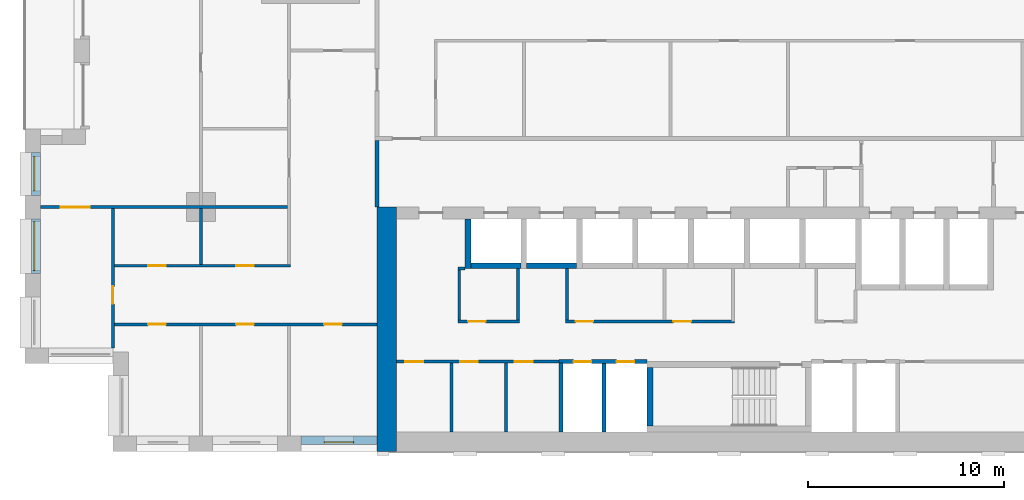
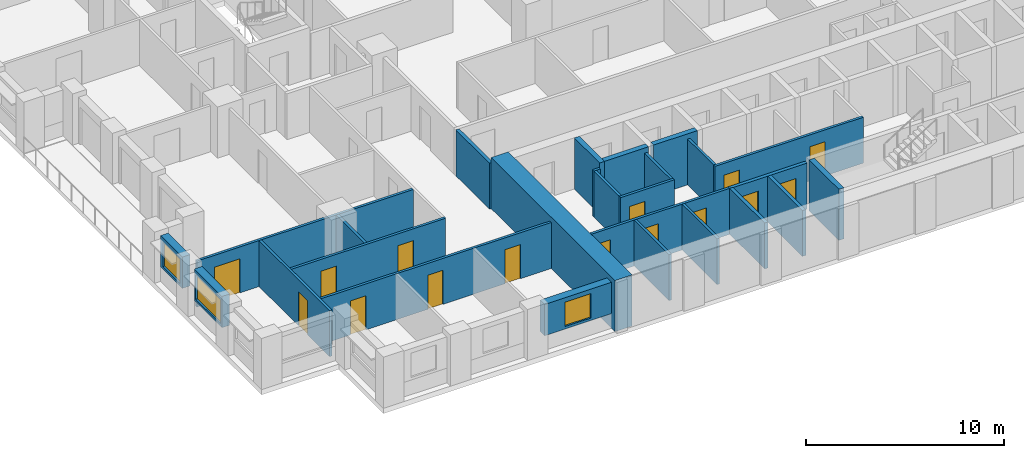
# One storey, part 9 of 20: 26 walls, 15 doors, 3 windows, 18 openings.
"""IFC4 building model written with IfcOpenShell, lengths in metres."""

from ifc_helpers import new_model, si_unit, direction, frame, frame_2d, origin, place, context, subcontext, project, spatial, rectangle, extrude, material, layer, layer_set, type_object, element, fill, save


model = new_model("IFC4")

# Units and contexts
model_context = context("Model", 3, precision=1e-05, world=origin(), true_north=direction((0.0, 1.0)))
body_context = subcontext(model_context, "Body", "Model", "MODEL_VIEW")
ifc_project = project(units=[si_unit("LENGTHUNIT", "METRE"), si_unit("AREAUNIT", "SQUARE_METRE"), si_unit("VOLUMEUNIT", "CUBIC_METRE"), si_unit("PLANEANGLEUNIT", "RADIAN"), si_unit("MASSUNIT", "GRAM", prefix="KILO")], contexts=[model_context])

# Site, building, storey
site_placement = place(None, origin())
site = spatial("IfcSite", under=ifc_project, at=site_placement, CompositionType="ELEMENT")
building_placement = place(site_placement, origin())
building = spatial("IfcBuilding", under=site, at=building_placement, Name="Brigalow Station Residences", CompositionType="ELEMENT")
storey_placement = place(building_placement, frame((0.0, 0.0, 54.14990234375)))
storey = spatial("IfcBuildingStorey", under=building, at=storey_placement, Name="L15", CompositionType="ELEMENT", Elevation=54.14990234375)

# Wall, opening, window
ifc_material_1 = material(Name="Clay brick masonry", Category="masonry")
ifc_layer_1 = layer(ifc_material_1, 0.449951171875)
ifc_layer_set_1 = layer_set([ifc_layer_1], Name="BRICK INFILL WALL 450")
wall_type_1 = type_object("IfcWallType", Name="BRICK INFILL WALL 450", PredefinedType="SOLIDWALL", material=ifc_layer_set_1)
wall_1_placement = place(storey_placement, frame((14.10009765625, 0.574951171875, 0.900146484375), z_axis=(0.0, 0.0, 1.0), x_axis=(1.0, 0.0, 0.0)))
wall_1 = element("IfcWall", 1, at=wall_1_placement, inside=storey, type_object=wall_type_1, Name="L15/ewall/W-L15-3", PredefinedType="SOLIDWALL", context=body_context, shape_type="SweptSolid", body=[
    extrude(rectangle(XDim=3.89990234375, YDim=0.449951171875, at=frame_2d((1.949951171875, 0.0))), origin(), (0.0, 0.0, 1.0), 1.929931640625),
])
opening_1_placement = place(wall_1_placement, frame((1.199951171875, 0.0, 0.14990234375)))
opening_1 = element("IfcOpeningElement", 2, at=opening_1_placement, cuts=wall_1, Name="Opening WT-1", PredefinedType="OPENING", context=body_context, shape_type="SweptSolid", body=[
    extrude(rectangle(XDim=1.5, YDim=1.5, at=frame_2d((0.75, 0.75))), frame((0.0, 0.23486328125, 0.0), z_axis=(0.0, -1.0, 0.0), x_axis=(1.0, 0.0, 0.0)), (0.0, 0.0, 1.0), 0.469970703125),
])
ifc_material_2 = material(Name="Anodised aluminium frame with double glazing", Category="aluminium")
window_type_1 = type_object("IfcWindowType", Name="WINDOW 1500x1500", PartitioningType="SINGLE_PANEL", PredefinedType="WINDOW", material=ifc_material_2)
window_1_placement = place(opening_1_placement, origin())
window_1 = element("IfcWindow", 3, at=window_1_placement, inside=storey, type_object=window_type_1, Name="L15/window/W-L15-3", OverallHeight=1.5, OverallWidth=1.5, PartitioningType="SINGLE_PANEL", PredefinedType="WINDOW", context=body_context, shape_type="SweptSolid", body=[
    extrude(rectangle(XDim=1.5, YDim=1.5, at=frame_2d((0.75, 0.75))), frame((0.0, -0.06494140625, 0.0), z_axis=(0.0, -1.0, 0.0), x_axis=(1.0, 0.0, 0.0)), (0.0, 0.0, 1.0), 0.06005859375),
])
fill(opening_1, window_1)

wall_2_placement = place(storey_placement, frame((0.574951171875, 15.300048828125, 0.900146484375), z_axis=(0.0, 0.0, 1.0), x_axis=(0.0, -1.0, 0.0)))
wall_2 = element("IfcWall", 4, at=wall_2_placement, inside=storey, type_object=wall_type_1, Name="L15/ewall/W-L15-51", PredefinedType="SOLIDWALL", context=body_context, shape_type="SweptSolid", body=[
    extrude(rectangle(XDim=2.199951171875, YDim=0.449951171875, at=frame_2d((1.10009765625, 0.0))), origin(), (0.0, 0.0, 1.0), 1.929931640625),
])
opening_2_placement = place(wall_2_placement, frame((0.22509765625, 0.0, 0.14990234375)))
opening_2 = element("IfcOpeningElement", 5, at=opening_2_placement, cuts=wall_2, Name="Opening WT-4", PredefinedType="OPENING", context=body_context, shape_type="SweptSolid", body=[
    extrude(rectangle(XDim=1.75, YDim=1.5, at=frame_2d((0.875, 0.75))), frame((0.0, 0.23486328125, 0.0), z_axis=(0.0, -1.0, 0.0), x_axis=(1.0, 0.0, 0.0)), (0.0, 0.0, 1.0), 0.469970703125),
])
ifc_material_3 = material(Name="Anodised aluminium frame with double glazing", Category="aluminium")
window_type_2 = type_object("IfcWindowType", Name="WINDOW 1750x1500", PartitioningType="SINGLE_PANEL", PredefinedType="WINDOW", material=ifc_material_3)
window_2_placement = place(opening_2_placement, origin())
window_2 = element("IfcWindow", 6, at=window_2_placement, inside=storey, type_object=window_type_2, Name="L15/window/W-L15-51", OverallHeight=1.5, OverallWidth=1.75, PartitioningType="SINGLE_PANEL", PredefinedType="WINDOW", context=body_context, shape_type="SweptSolid", body=[
    extrude(rectangle(XDim=1.75, YDim=1.5, at=frame_2d((0.875, 0.75))), frame((0.0, -0.06494140625, 0.0), z_axis=(0.0, -1.0, 0.0), x_axis=(1.0, 0.0, 0.0)), (0.0, 0.0, 1.0), 0.06005859375),
])
fill(opening_2, window_2)

wall_3_placement = place(storey_placement, frame((0.574951171875, 11.89990234375, 0.900146484375), z_axis=(0.0, 0.0, 1.0), x_axis=(0.0, -1.0, 0.0)))
wall_3 = element("IfcWall", 7, at=wall_3_placement, inside=storey, type_object=wall_type_1, Name="L15/ewall/W-L15-52", PredefinedType="SOLIDWALL", context=body_context, shape_type="SweptSolid", body=[
    extrude(rectangle(XDim=2.7998046875, YDim=0.449951171875, at=frame_2d((1.39990234375, 0.0))), origin(), (0.0, 0.0, 1.0), 1.929931640625),
])
opening_3_placement = place(wall_3_placement, frame((0.14990234375, 0.0, 0.14990234375)))
opening_3 = element("IfcOpeningElement", 8, at=opening_3_placement, cuts=wall_3, Name="Opening WT-5", PredefinedType="OPENING", context=body_context, shape_type="SweptSolid", body=[
    extrude(rectangle(XDim=2.5, YDim=1.5, at=frame_2d((1.25, 0.75))), frame((0.0, 0.23486328125, 0.0), z_axis=(0.0, -1.0, 0.0), x_axis=(1.0, 0.0, 0.0)), (0.0, 0.0, 1.0), 0.469970703125),
])
ifc_material_4 = material(Name="Anodised aluminium frame with double glazing", Category="aluminium")
window_type_3 = type_object("IfcWindowType", Name="WINDOW 2500x1500", PartitioningType="SINGLE_PANEL", PredefinedType="WINDOW", material=ifc_material_4)
window_3_placement = place(opening_3_placement, origin())
window_3 = element("IfcWindow", 9, at=window_3_placement, inside=storey, type_object=window_type_3, Name="L15/window/W-L15-52", OverallHeight=1.5, OverallWidth=2.5, PartitioningType="SINGLE_PANEL", PredefinedType="WINDOW", context=body_context, shape_type="SweptSolid", body=[
    extrude(rectangle(XDim=2.5, YDim=1.5, at=frame_2d((1.25, 0.75))), frame((0.0, -0.06494140625, 0.0), z_axis=(0.0, -1.0, 0.0), x_axis=(1.0, 0.0, 0.0)), (0.0, 0.0, 1.0), 0.06005859375),
])
fill(opening_3, window_3)

# Walls
ifc_material_5 = material(Name="Concrete C80", Category="concrete")
ifc_layer_2 = layer(ifc_material_5, 1.0)
ifc_layer_set_2 = layer_set([ifc_layer_2], Name="CORE SHEAR WALL 1000 C80")
wall_type_2 = type_object("IfcWallType", Name="CORE SHEAR WALL 1000 C80", PredefinedType="SHEAR", material=ifc_layer_set_2)
wall_4_placement = place(storey_placement, frame((18.5, 0.0, 0.0), z_axis=(0.0, 0.0, 1.0), x_axis=(0.0, 1.0, 0.0)))
element("IfcWall", 10, at=wall_4_placement, inside=storey, type_object=wall_type_2, Name="CORE WALL OUT-W L15", PredefinedType="SHEAR", context=body_context, shape_type="SweptSolid", body=[
    extrude(rectangle(XDim=12.5, YDim=1.0, at=frame_2d((6.25, 0.0))), origin(), (0.0, 0.0, 1.0), 3.150146484375),
])
ifc_material_6 = material(Name="Concrete C80", Category="concrete")
ifc_layer_3 = layer(ifc_material_6, 0.300048828125)
ifc_layer_set_3 = layer_set([ifc_layer_3], Name="CORE SHEAR WALL 300 C80")
wall_type_3 = type_object("IfcWallType", Name="CORE SHEAR WALL 300 C80", PredefinedType="SHEAR", material=ifc_layer_set_3)
wall_5_placement = place(storey_placement, frame((22.800048828125, 9.5, 0.0), z_axis=(0.0, 0.0, 1.0), x_axis=(1.0, 0.0, 0.0)))
element("IfcWall", 11, at=wall_5_placement, inside=storey, type_object=wall_type_3, Name="CORE WALL SH-P1-S L15", PredefinedType="SHEAR", context=body_context, shape_type="SweptSolid", body=[
    extrude(rectangle(XDim=2.550048828125, YDim=0.300048828125, at=frame_2d((1.27490234375, 0.0))), origin(), (0.0, 0.0, 1.0), 3.150146484375),
])
wall_6_placement = place(storey_placement, frame((22.64990234375, 9.35009765625, 0.0), z_axis=(0.0, 0.0, 1.0), x_axis=(0.0, 1.0, 0.0)))
element("IfcWall", 12, at=wall_6_placement, inside=storey, type_object=wall_type_3, Name="CORE WALL SH-P1-W L15", PredefinedType="SHEAR", context=body_context, shape_type="SweptSolid", body=[
    extrude(rectangle(XDim=2.5498046875, YDim=0.300048828125, at=frame_2d((1.27490234375, 0.0))), origin(), (0.0, 0.0, 1.0), 3.150146484375),
])
wall_7_placement = place(storey_placement, frame((25.64990234375, 9.5, 0.0), z_axis=(0.0, 0.0, 1.0), x_axis=(1.0, 0.0, 0.0)))
element("IfcWall", 13, at=wall_7_placement, inside=storey, type_object=wall_type_3, Name="CORE WALL SH-P2-S L15", PredefinedType="SHEAR", context=body_context, shape_type="SweptSolid", body=[
    extrude(rectangle(XDim=2.550048828125, YDim=0.300048828125, at=frame_2d((1.27490234375, 0.0))), origin(), (0.0, 0.0, 1.0), 3.150146484375),
])
wall_8_placement = place(storey_placement, frame((31.949951171875, 1.300048828125, 0.0), z_axis=(0.0, 0.0, 1.0), x_axis=(0.0, 1.0, 0.0)))
element("IfcWall", 14, at=wall_8_placement, inside=storey, type_object=wall_type_3, Name="CORE WALL ST-S2-W L15", PredefinedType="SHEAR", context=body_context, shape_type="SweptSolid", body=[
    extrude(rectangle(XDim=3.0, YDim=0.300048828125, at=frame_2d((1.5, 0.0))), origin(), (0.0, 0.0, 1.0), 3.150146484375),
])

# Wall, openings, doors
ifc_material_7 = material(Name="Concrete blockwork", Category="masonry")
ifc_layer_4 = layer(ifc_material_7, 0.199951171875)
ifc_layer_set_4 = layer_set([ifc_layer_4], Name="FIRE RATED CORE PARTITION 200")
wall_type_4 = type_object("IfcWallType", Name="FIRE RATED CORE PARTITION 200", PredefinedType="PARTITIONING", material=ifc_layer_set_4)
wall_9_placement = place(storey_placement, frame((27.300048828125, 4.60009765625, 0.0), z_axis=(0.0, 0.0, 1.0), x_axis=(1.0, 0.0, 0.0)))
wall_9 = element("IfcWall", 15, at=wall_9_placement, inside=storey, type_object=wall_type_4, Name="PW-5017", PredefinedType="PARTITIONING", context=body_context, shape_type="SweptSolid", body=[
    extrude(rectangle(XDim=4.5, YDim=0.199951171875, at=frame_2d((2.25, 0.0))), origin(), (0.0, 0.0, 1.0), 2.830078125),
])
opening_4_placement = place(wall_9_placement, frame((0.75, 0.0, 0.0)))
opening_4 = element("IfcOpeningElement", 16, at=opening_4_placement, cuts=wall_9, Name="Opening D-5007", PredefinedType="OPENING", context=body_context, shape_type="SweptSolid", body=[
    extrude(rectangle(XDim=0.89990234375, YDim=2.10009765625, at=frame_2d((0.449951171875, 1.050048828125))), frame((0.0, 0.10986328125, 0.0), z_axis=(0.0, -1.0, 0.0), x_axis=(1.0, 0.0, 0.0)), (0.0, 0.0, 1.0), 0.219970703125),
])
opening_5_placement = place(wall_9_placement, frame((2.949951171875, 0.0, 0.0)))
opening_5 = element("IfcOpeningElement", 17, at=opening_5_placement, cuts=wall_9, Name="Opening D-5008", PredefinedType="OPENING", context=body_context, shape_type="SweptSolid", body=[
    extrude(rectangle(XDim=0.89990234375, YDim=2.10009765625, at=frame_2d((0.449951171875, 1.050048828125))), frame((0.0, 0.10986328125, 0.0), z_axis=(0.0, -1.0, 0.0), x_axis=(1.0, 0.0, 0.0)), (0.0, 0.0, 1.0), 0.219970703125),
])
ifc_material_8 = material(Name="Steel fire door leaf in steel frame", Category="steel")
door_type_1 = type_object("IfcDoorType", Name="RISER ACCESS DOOR 900 x 2100 FD120", OperationType="SINGLE_SWING_LEFT", PredefinedType="DOOR", material=ifc_material_8)
door_1_placement = place(opening_4_placement, frame((0.89990234375, 0.0, 0.0), z_axis=(0.0, 0.0, 1.0), x_axis=(-1.0, 0.0, 0.0)))
door_1 = element("IfcDoor", 18, at=door_1_placement, inside=storey, type_object=door_type_1, Name="D-5007", OperationType="SINGLE_SWING_LEFT", OverallHeight=2.10009765625, OverallWidth=0.89990234375, PredefinedType="DOOR", context=body_context, shape_type="SweptSolid", body=[
    extrude(rectangle(XDim=0.89990234375, YDim=2.10009765625, at=frame_2d((0.449951171875, 1.050048828125))), frame((0.0, 0.02490234375, 0.0), z_axis=(0.0, -1.0, 0.0), x_axis=(1.0, 0.0, 0.0)), (0.0, 0.0, 1.0), 0.050048828125),
])
fill(opening_4, door_1)
door_2_placement = place(opening_5_placement, frame((0.89990234375, 0.0, 0.0), z_axis=(0.0, 0.0, 1.0), x_axis=(-1.0, 0.0, 0.0)))
door_2 = element("IfcDoor", 19, at=door_2_placement, inside=storey, type_object=door_type_1, Name="D-5008", OperationType="SINGLE_SWING_RIGHT", OverallHeight=2.10009765625, OverallWidth=0.89990234375, PredefinedType="DOOR", context=body_context, shape_type="SweptSolid", body=[
    extrude(rectangle(XDim=0.89990234375, YDim=2.10009765625, at=frame_2d((0.449951171875, 1.050048828125))), frame((0.0, 0.02490234375, 0.0), z_axis=(0.0, -1.0, 0.0), x_axis=(1.0, 0.0, 0.0)), (0.0, 0.0, 1.0), 0.050048828125),
])
fill(opening_5, door_2)

# Walls
wall_10_placement = place(storey_placement, frame((27.39990234375, 1.0, 0.0), z_axis=(0.0, 0.0, 1.0), x_axis=(0.0, 1.0, 0.0)))
element("IfcWall", 20, at=wall_10_placement, inside=storey, type_object=wall_type_4, Name="PW-5027", PredefinedType="PARTITIONING", context=body_context, shape_type="SweptSolid", body=[
    extrude(rectangle(XDim=3.52490234375, YDim=0.199951171875, at=frame_2d((1.762451171875, 0.0))), origin(), (0.0, 0.0, 1.0), 2.830078125),
])
wall_11_placement = place(storey_placement, frame((29.60009765625, 1.0, 0.0), z_axis=(0.0, 0.0, 1.0), x_axis=(0.0, 1.0, 0.0)))
element("IfcWall", 21, at=wall_11_placement, inside=storey, type_object=wall_type_4, Name="PW-5006", PredefinedType="PARTITIONING", context=body_context, shape_type="SweptSolid", body=[
    extrude(rectangle(XDim=3.5, YDim=0.199951171875, at=frame_2d((1.75, 0.0))), origin(), (0.0, 0.0, 1.0), 2.830078125),
])
wall_12_placement = place(storey_placement, frame((18.0, 12.5, 0.0), z_axis=(0.0, 0.0, 1.0), x_axis=(0.0, 1.0, 0.0)))
element("IfcWall", 22, at=wall_12_placement, inside=storey, type_object=wall_type_4, Name="PW-5013", PredefinedType="PARTITIONING", context=body_context, shape_type="SweptSolid", body=[
    extrude(rectangle(XDim=3.39990234375, YDim=0.199951171875, at=frame_2d((1.699951171875, 0.0))), origin(), (0.0, 0.0, 1.0), 2.830078125),
])

# Wall, openings, doors
ifc_material_9 = material(Name="Plasterboard on steel stud partition", Category="steel")
ifc_layer_5 = layer(ifc_material_9, 0.14990234375)
ifc_layer_set_5 = layer_set([ifc_layer_5], Name="FLAT PARTITION 150")
wall_type_5 = type_object("IfcWallType", Name="FLAT PARTITION 150", PredefinedType="PARTITIONING", material=ifc_layer_set_5)
wall_13_placement = place(storey_placement, frame((4.574951171875, 6.5, 0.0), z_axis=(0.0, 0.0, 1.0), x_axis=(1.0, 0.0, 0.0)))
wall_13 = element("IfcWall", 23, at=wall_13_placement, inside=storey, type_object=wall_type_5, Name="PW-1E11", PredefinedType="PARTITIONING", context=body_context, shape_type="SweptSolid", body=[
    extrude(rectangle(XDim=13.425048828125, YDim=0.14990234375, at=frame_2d((6.71240234375, 0.0))), origin(), (0.0, 0.0, 1.0), 2.830078125),
])
opening_6_placement = place(wall_13_placement, frame((1.72509765625, 0.0, 0.0)))
opening_6 = element("IfcOpeningElement", 24, at=opening_6_placement, cuts=wall_13, Name="Opening D-1E04", PredefinedType="OPENING", context=body_context, shape_type="SweptSolid", body=[
    extrude(rectangle(XDim=0.89990234375, YDim=2.10009765625, at=frame_2d((0.449951171875, 1.050048828125))), frame((0.0, 0.0849609375, 0.0), z_axis=(0.0, -1.0, 0.0), x_axis=(1.0, 0.0, 0.0)), (0.0, 0.0, 1.0), 0.169921875),
])
opening_7_placement = place(wall_13_placement, frame((6.22509765625, 0.0, 0.0)))
opening_7 = element("IfcOpeningElement", 25, at=opening_7_placement, cuts=wall_13, Name="Opening D-1E05", PredefinedType="OPENING", context=body_context, shape_type="SweptSolid", body=[
    extrude(rectangle(XDim=0.89990234375, YDim=2.10009765625, at=frame_2d((0.449951171875, 1.050048828125))), frame((0.0, 0.0849609375, 0.0), z_axis=(0.0, -1.0, 0.0), x_axis=(1.0, 0.0, 0.0)), (0.0, 0.0, 1.0), 0.169921875),
])
opening_8_placement = place(wall_13_placement, frame((10.72509765625, 0.0, 0.0)))
opening_8 = element("IfcOpeningElement", 26, at=opening_8_placement, cuts=wall_13, Name="Opening D-1E06", PredefinedType="OPENING", context=body_context, shape_type="SweptSolid", body=[
    extrude(rectangle(XDim=0.89990234375, YDim=2.10009765625, at=frame_2d((0.449951171875, 1.050048828125))), frame((0.0, 0.0849609375, 0.0), z_axis=(0.0, -1.0, 0.0), x_axis=(1.0, 0.0, 0.0)), (0.0, 0.0, 1.0), 0.169921875),
])
ifc_material_10 = material(Name="Solid-core timber door leaf", Category="wood")
door_type_2 = type_object("IfcDoorType", Name="INTERNAL DOOR 900 x 2100", OperationType="SINGLE_SWING_LEFT", PredefinedType="DOOR", material=ifc_material_10)
door_3_placement = place(opening_6_placement, frame((0.89990234375, 0.0, 0.0), z_axis=(0.0, 0.0, 1.0), x_axis=(-1.0, 0.0, 0.0)))
door_3 = element("IfcDoor", 27, at=door_3_placement, inside=storey, type_object=door_type_2, Name="D-1E04", OperationType="SINGLE_SWING_RIGHT", OverallHeight=2.10009765625, OverallWidth=0.89990234375, PredefinedType="DOOR", context=body_context, shape_type="SweptSolid", body=[
    extrude(rectangle(XDim=0.89990234375, YDim=2.10009765625, at=frame_2d((0.449951171875, 1.050048828125))), frame((0.0, 0.02490234375, 0.0), z_axis=(0.0, -1.0, 0.0), x_axis=(1.0, 0.0, 0.0)), (0.0, 0.0, 1.0), 0.050048828125),
])
fill(opening_6, door_3)
door_4_placement = place(opening_7_placement, frame((0.89990234375, 0.0, 0.0), z_axis=(0.0, 0.0, 1.0), x_axis=(-1.0, 0.0, 0.0)))
door_4 = element("IfcDoor", 28, at=door_4_placement, inside=storey, type_object=door_type_2, Name="D-1E05", OperationType="SINGLE_SWING_RIGHT", OverallHeight=2.10009765625, OverallWidth=0.89990234375, PredefinedType="DOOR", context=body_context, shape_type="SweptSolid", body=[
    extrude(rectangle(XDim=0.89990234375, YDim=2.10009765625, at=frame_2d((0.449951171875, 1.050048828125))), frame((0.0, 0.02490234375, 0.0), z_axis=(0.0, -1.0, 0.0), x_axis=(1.0, 0.0, 0.0)), (0.0, 0.0, 1.0), 0.050048828125),
])
fill(opening_7, door_4)
door_5_placement = place(opening_8_placement, frame((0.89990234375, 0.0, 0.0), z_axis=(0.0, 0.0, 1.0), x_axis=(-1.0, 0.0, 0.0)))
door_5 = element("IfcDoor", 29, at=door_5_placement, inside=storey, type_object=door_type_2, Name="D-1E06", OperationType="SINGLE_SWING_RIGHT", OverallHeight=2.10009765625, OverallWidth=0.89990234375, PredefinedType="DOOR", context=body_context, shape_type="SweptSolid", body=[
    extrude(rectangle(XDim=0.89990234375, YDim=2.10009765625, at=frame_2d((0.449951171875, 1.050048828125))), frame((0.0, 0.02490234375, 0.0), z_axis=(0.0, -1.0, 0.0), x_axis=(1.0, 0.0, 0.0)), (0.0, 0.0, 1.0), 0.050048828125),
])
fill(opening_8, door_5)

# Wall, opening, door
wall_14_placement = place(storey_placement, frame((0.800048828125, 12.5, 0.0), z_axis=(0.0, 0.0, 1.0), x_axis=(1.0, 0.0, 0.0)))
wall_14 = element("IfcWall", 30, at=wall_14_placement, inside=storey, type_object=wall_type_5, Name="PW-1E12", PredefinedType="PARTITIONING", context=body_context, shape_type="SweptSolid", body=[
    extrude(rectangle(XDim=12.625, YDim=0.14990234375, at=frame_2d((6.3125, 0.0))), origin(), (0.0, 0.0, 1.0), 2.830078125),
])
opening_9_placement = place(wall_14_placement, frame((1.02490234375, 0.0, 0.0)))
opening_9 = element("IfcOpeningElement", 31, at=opening_9_placement, cuts=wall_14, Name="Opening D-1E20", PredefinedType="OPENING", context=body_context, shape_type="SweptSolid", body=[
    extrude(rectangle(XDim=1.5, YDim=2.10009765625, at=frame_2d((0.75, 1.050048828125))), frame((0.0, 0.0849609375, 0.0), z_axis=(0.0, -1.0, 0.0), x_axis=(1.0, 0.0, 0.0)), (0.0, 0.0, 1.0), 0.169921875),
])
ifc_material_11 = material(Name="Solid-core timber door leaf", Category="wood")
door_type_3 = type_object("IfcDoorType", Name="INTERNAL DOUBLE DOOR 1500 x 2100", OperationType="DOUBLE_DOOR_SINGLE_SWING", PredefinedType="DOOR", material=ifc_material_11)
door_6_placement = place(opening_9_placement, frame((1.5, 0.0, 0.0), z_axis=(0.0, 0.0, 1.0), x_axis=(-1.0, 0.0, 0.0)))
door_6 = element("IfcDoor", 32, at=door_6_placement, inside=storey, type_object=door_type_3, Name="D-1E20", OperationType="DOUBLE_DOOR_SINGLE_SWING", OverallHeight=2.10009765625, OverallWidth=1.5, PredefinedType="DOOR", context=body_context, shape_type="SweptSolid", body=[
    extrude(rectangle(XDim=1.5, YDim=2.10009765625, at=frame_2d((0.75, 1.050048828125))), frame((0.0, 0.02490234375, 0.0), z_axis=(0.0, -1.0, 0.0), x_axis=(1.0, 0.0, 0.0)), (0.0, 0.0, 1.0), 0.050048828125),
])
fill(opening_9, door_6)

# Wall, openings, doors
wall_15_placement = place(storey_placement, frame((4.574951171875, 9.5, 0.0), z_axis=(0.0, 0.0, 1.0), x_axis=(1.0, 0.0, 0.0)))
wall_15 = element("IfcWall", 33, at=wall_15_placement, inside=storey, type_object=wall_type_5, Name="PW-1E15", PredefinedType="PARTITIONING", context=body_context, shape_type="SweptSolid", body=[
    extrude(rectangle(XDim=9.0, YDim=0.14990234375, at=frame_2d((4.5, 0.0))), origin(), (0.0, 0.0, 1.0), 2.830078125),
])
opening_10_placement = place(wall_15_placement, frame((1.72509765625, 0.0, 0.0)))
opening_10 = element("IfcOpeningElement", 34, at=opening_10_placement, cuts=wall_15, Name="Opening D-1E03", PredefinedType="OPENING", context=body_context, shape_type="SweptSolid", body=[
    extrude(rectangle(XDim=0.89990234375, YDim=2.10009765625, at=frame_2d((0.449951171875, 1.050048828125))), frame((0.0, 0.0849609375, 0.0), z_axis=(0.0, -1.0, 0.0), x_axis=(1.0, 0.0, 0.0)), (0.0, 0.0, 1.0), 0.169921875),
])
opening_11_placement = place(wall_15_placement, frame((6.22509765625, 0.0, 0.0)))
opening_11 = element("IfcOpeningElement", 35, at=opening_11_placement, cuts=wall_15, Name="Opening D-1E11", PredefinedType="OPENING", context=body_context, shape_type="SweptSolid", body=[
    extrude(rectangle(XDim=0.89990234375, YDim=2.10009765625, at=frame_2d((0.449951171875, 1.050048828125))), frame((0.0, 0.0849609375, 0.0), z_axis=(0.0, -1.0, 0.0), x_axis=(1.0, 0.0, 0.0)), (0.0, 0.0, 1.0), 0.169921875),
])
door_7_placement = place(opening_10_placement, origin())
door_7 = element("IfcDoor", 36, at=door_7_placement, inside=storey, type_object=door_type_2, Name="D-1E03", OperationType="SINGLE_SWING_RIGHT", OverallHeight=2.10009765625, OverallWidth=0.89990234375, PredefinedType="DOOR", context=body_context, shape_type="SweptSolid", body=[
    extrude(rectangle(XDim=0.89990234375, YDim=2.10009765625, at=frame_2d((0.449951171875, 1.050048828125))), frame((0.0, 0.02490234375, 0.0), z_axis=(0.0, -1.0, 0.0), x_axis=(1.0, 0.0, 0.0)), (0.0, 0.0, 1.0), 0.050048828125),
])
fill(opening_10, door_7)
door_8_placement = place(opening_11_placement, origin())
door_8 = element("IfcDoor", 37, at=door_8_placement, inside=storey, type_object=door_type_2, Name="D-1E11", OperationType="SINGLE_SWING_LEFT", OverallHeight=2.10009765625, OverallWidth=0.89990234375, PredefinedType="DOOR", context=body_context, shape_type="SweptSolid", body=[
    extrude(rectangle(XDim=0.89990234375, YDim=2.10009765625, at=frame_2d((0.449951171875, 1.050048828125))), frame((0.0, 0.02490234375, 0.0), z_axis=(0.0, -1.0, 0.0), x_axis=(1.0, 0.0, 0.0)), (0.0, 0.0, 1.0), 0.050048828125),
])
fill(opening_11, door_8)

# Wall
wall_16_placement = place(storey_placement, frame((9.0, 9.574951171875, 0.0), z_axis=(0.0, 0.0, 1.0), x_axis=(0.0, 1.0, 0.0)))
element("IfcWall", 38, at=wall_16_placement, inside=storey, type_object=wall_type_5, Name="PW-1E49", PredefinedType="PARTITIONING", context=body_context, shape_type="SweptSolid", body=[
    extrude(rectangle(XDim=2.85009765625, YDim=0.14990234375, at=frame_2d((1.425048828125, 0.0))), origin(), (0.0, 0.0, 1.0), 2.830078125),
])

# Wall, opening, door
wall_17_placement = place(storey_placement, frame((4.5, 5.300048828125, 0.0), z_axis=(0.0, 0.0, 1.0), x_axis=(0.0, 1.0, 0.0)))
wall_17 = element("IfcWall", 39, at=wall_17_placement, inside=storey, type_object=wall_type_5, Name="PW-1E55", PredefinedType="PARTITIONING", context=body_context, shape_type="SweptSolid", body=[
    extrude(rectangle(XDim=7.125, YDim=0.14990234375, at=frame_2d((3.5625, 0.0))), origin(), (0.0, 0.0, 1.0), 2.830078125),
])
opening_12_placement = place(wall_17_placement, frame((2.25, 0.0, 0.0)))
opening_12 = element("IfcOpeningElement", 40, at=opening_12_placement, cuts=wall_17, Name="Opening D-1E14", PredefinedType="OPENING", context=body_context, shape_type="SweptSolid", body=[
    extrude(rectangle(XDim=0.89990234375, YDim=2.10009765625, at=frame_2d((0.449951171875, 1.050048828125))), frame((0.0, 0.0849609375, 0.0), z_axis=(0.0, -1.0, 0.0), x_axis=(1.0, 0.0, 0.0)), (0.0, 0.0, 1.0), 0.169921875),
])
door_9_placement = place(opening_12_placement, origin())
door_9 = element("IfcDoor", 41, at=door_9_placement, inside=storey, type_object=door_type_2, Name="D-1E14", OperationType="SINGLE_SWING_LEFT", OverallHeight=2.10009765625, OverallWidth=0.89990234375, PredefinedType="DOOR", context=body_context, shape_type="SweptSolid", body=[
    extrude(rectangle(XDim=0.89990234375, YDim=2.10009765625, at=frame_2d((0.449951171875, 1.050048828125))), frame((0.0, 0.02490234375, 0.0), z_axis=(0.0, -1.0, 0.0), x_axis=(1.0, 0.0, 0.0)), (0.0, 0.0, 1.0), 0.050048828125),
])
fill(opening_12, door_9)

# Wall, openings, doors
ifc_material_12 = material(Name="Plasterboard on steel studs", Category="steel")
ifc_layer_6 = layer(ifc_material_12, 0.14990234375)
ifc_layer_set_6 = layer_set([ifc_layer_6], Name="SERVICE ROOM PARTITION 150")
wall_type_6 = type_object("IfcWallType", Name="SERVICE ROOM PARTITION 150", PredefinedType="PARTITIONING", material=ifc_layer_set_6)
wall_18_placement = place(storey_placement, frame((19.0, 4.60009765625, 0.0), z_axis=(0.0, 0.0, 1.0), x_axis=(1.0, 0.0, 0.0)))
wall_18 = element("IfcWall", 42, at=wall_18_placement, inside=storey, type_object=wall_type_6, Name="PW-5019", PredefinedType="PARTITIONING", context=body_context, shape_type="SweptSolid", body=[
    extrude(rectangle(XDim=8.300048828125, YDim=0.14990234375, at=frame_2d((4.14990234375, 0.0))), origin(), (0.0, 0.0, 1.0), 2.830078125),
])
opening_13_placement = place(wall_18_placement, frame((0.449951171875, 0.0, 0.0)))
opening_13 = element("IfcOpeningElement", 43, at=opening_13_placement, cuts=wall_18, Name="Opening D-5025", PredefinedType="OPENING", context=body_context, shape_type="SweptSolid", body=[
    extrude(rectangle(XDim=0.89990234375, YDim=2.10009765625, at=frame_2d((0.449951171875, 1.050048828125))), frame((0.0, 0.0849609375, 0.0), z_axis=(0.0, -1.0, 0.0), x_axis=(1.0, 0.0, 0.0)), (0.0, 0.0, 1.0), 0.169921875),
])
opening_14_placement = place(wall_18_placement, frame((3.25, 0.0, 0.0)))
opening_14 = element("IfcOpeningElement", 44, at=opening_14_placement, cuts=wall_18, Name="Opening D-5081", PredefinedType="OPENING", context=body_context, shape_type="SweptSolid", body=[
    extrude(rectangle(XDim=0.89990234375, YDim=2.10009765625, at=frame_2d((0.449951171875, 1.050048828125))), frame((0.0, 0.0849609375, 0.0), z_axis=(0.0, -1.0, 0.0), x_axis=(1.0, 0.0, 0.0)), (0.0, 0.0, 1.0), 0.169921875),
])
opening_15_placement = place(wall_18_placement, frame((6.050048828125, 0.0, 0.0)))
opening_15 = element("IfcOpeningElement", 45, at=opening_15_placement, cuts=wall_18, Name="Opening D-5082", PredefinedType="OPENING", context=body_context, shape_type="SweptSolid", body=[
    extrude(rectangle(XDim=0.89990234375, YDim=2.10009765625, at=frame_2d((0.449951171875, 1.050048828125))), frame((0.0, 0.0849609375, 0.0), z_axis=(0.0, -1.0, 0.0), x_axis=(1.0, 0.0, 0.0)), (0.0, 0.0, 1.0), 0.169921875),
])
ifc_material_13 = material(Name="Steel door leaf in steel frame", Category="steel")
door_type_4 = type_object("IfcDoorType", Name="SERVICE ROOM DOOR 900 x 2100 FD60", OperationType="SINGLE_SWING_LEFT", PredefinedType="DOOR", material=ifc_material_13)
door_10_placement = place(opening_13_placement, frame((0.89990234375, 0.0, 0.0), z_axis=(0.0, 0.0, 1.0), x_axis=(-1.0, 0.0, 0.0)))
door_10 = element("IfcDoor", 46, at=door_10_placement, inside=storey, type_object=door_type_4, Name="D-5025", OperationType="SINGLE_SWING_RIGHT", OverallHeight=2.10009765625, OverallWidth=0.89990234375, PredefinedType="DOOR", context=body_context, shape_type="SweptSolid", body=[
    extrude(rectangle(XDim=0.89990234375, YDim=2.10009765625, at=frame_2d((0.449951171875, 1.050048828125))), frame((0.0, 0.02490234375, 0.0), z_axis=(0.0, -1.0, 0.0), x_axis=(1.0, 0.0, 0.0)), (0.0, 0.0, 1.0), 0.050048828125),
])
fill(opening_13, door_10)
door_11_placement = place(opening_14_placement, frame((0.89990234375, 0.0, 0.0), z_axis=(0.0, 0.0, 1.0), x_axis=(-1.0, 0.0, 0.0)))
door_11 = element("IfcDoor", 47, at=door_11_placement, inside=storey, type_object=door_type_4, Name="D-5081", OperationType="SINGLE_SWING_RIGHT", OverallHeight=2.10009765625, OverallWidth=0.89990234375, PredefinedType="DOOR", context=body_context, shape_type="SweptSolid", body=[
    extrude(rectangle(XDim=0.89990234375, YDim=2.10009765625, at=frame_2d((0.449951171875, 1.050048828125))), frame((0.0, 0.02490234375, 0.0), z_axis=(0.0, -1.0, 0.0), x_axis=(1.0, 0.0, 0.0)), (0.0, 0.0, 1.0), 0.050048828125),
])
fill(opening_14, door_11)
door_12_placement = place(opening_15_placement, frame((0.89990234375, 0.0, 0.0), z_axis=(0.0, 0.0, 1.0), x_axis=(-1.0, 0.0, 0.0)))
door_12 = element("IfcDoor", 48, at=door_12_placement, inside=storey, type_object=door_type_4, Name="D-5082", OperationType="SINGLE_SWING_RIGHT", OverallHeight=2.10009765625, OverallWidth=0.89990234375, PredefinedType="DOOR", context=body_context, shape_type="SweptSolid", body=[
    extrude(rectangle(XDim=0.89990234375, YDim=2.10009765625, at=frame_2d((0.449951171875, 1.050048828125))), frame((0.0, 0.02490234375, 0.0), z_axis=(0.0, -1.0, 0.0), x_axis=(1.0, 0.0, 0.0)), (0.0, 0.0, 1.0), 0.050048828125),
])
fill(opening_15, door_12)

# Wall, opening, door
wall_19_placement = place(storey_placement, frame((22.125, 6.64990234375, 0.0), z_axis=(0.0, 0.0, 1.0), x_axis=(1.0, 0.0, 0.0)))
wall_19 = element("IfcWall", 49, at=wall_19_placement, inside=storey, type_object=wall_type_6, Name="PW-5141", PredefinedType="PARTITIONING", context=body_context, shape_type="SweptSolid", body=[
    extrude(rectangle(XDim=3.14990234375, YDim=0.14990234375, at=frame_2d((1.574951171875, 0.0))), origin(), (0.0, 0.0, 1.0), 2.830078125),
])
opening_16_placement = place(wall_19_placement, frame((0.52490234375, 0.0, 0.0)))
opening_16 = element("IfcOpeningElement", 50, at=opening_16_placement, cuts=wall_19, Name="Opening D-5021", PredefinedType="OPENING", context=body_context, shape_type="SweptSolid", body=[
    extrude(rectangle(XDim=0.89990234375, YDim=2.10009765625, at=frame_2d((0.449951171875, 1.050048828125))), frame((0.0, 0.0849609375, 0.0), z_axis=(0.0, -1.0, 0.0), x_axis=(1.0, 0.0, 0.0)), (0.0, 0.0, 1.0), 0.169921875),
])
door_13_placement = place(opening_16_placement, origin())
door_13 = element("IfcDoor", 51, at=door_13_placement, inside=storey, type_object=door_type_4, Name="D-5021", OperationType="SINGLE_SWING_LEFT", OverallHeight=2.10009765625, OverallWidth=0.89990234375, PredefinedType="DOOR", context=body_context, shape_type="SweptSolid", body=[
    extrude(rectangle(XDim=0.89990234375, YDim=2.10009765625, at=frame_2d((0.449951171875, 1.050048828125))), frame((0.0, 0.02490234375, 0.0), z_axis=(0.0, -1.0, 0.0), x_axis=(1.0, 0.0, 0.0)), (0.0, 0.0, 1.0), 0.050048828125),
])
fill(opening_16, door_13)

# Wall, openings, doors
wall_20_placement = place(storey_placement, frame((27.625, 6.64990234375, 0.0), z_axis=(0.0, 0.0, 1.0), x_axis=(1.0, 0.0, 0.0)))
wall_20 = element("IfcWall", 52, at=wall_20_placement, inside=storey, type_object=wall_type_6, Name="PW-5142", PredefinedType="PARTITIONING", context=body_context, shape_type="SweptSolid", body=[
    extrude(rectangle(XDim=8.64990234375, YDim=0.14990234375, at=frame_2d((4.324951171875, 0.0))), origin(), (0.0, 0.0, 1.0), 2.830078125),
])
opening_17_placement = place(wall_20_placement, frame((0.52490234375, 0.0, 0.0)))
opening_17 = element("IfcOpeningElement", 53, at=opening_17_placement, cuts=wall_20, Name="Opening D-5080", PredefinedType="OPENING", context=body_context, shape_type="SweptSolid", body=[
    extrude(rectangle(XDim=0.89990234375, YDim=2.10009765625, at=frame_2d((0.449951171875, 1.050048828125))), frame((0.0, 0.0849609375, 0.0), z_axis=(0.0, -1.0, 0.0), x_axis=(1.0, 0.0, 0.0)), (0.0, 0.0, 1.0), 0.169921875),
])
opening_18_placement = place(wall_20_placement, frame((5.52490234375, 0.0, 0.0)))
opening_18 = element("IfcOpeningElement", 54, at=opening_18_placement, cuts=wall_20, Name="Opening D-5073", PredefinedType="OPENING", context=body_context, shape_type="SweptSolid", body=[
    extrude(rectangle(XDim=0.89990234375, YDim=2.10009765625, at=frame_2d((0.449951171875, 1.050048828125))), frame((0.0, 0.0849609375, 0.0), z_axis=(0.0, -1.0, 0.0), x_axis=(1.0, 0.0, 0.0)), (0.0, 0.0, 1.0), 0.169921875),
])
door_14_placement = place(opening_17_placement, origin())
door_14 = element("IfcDoor", 55, at=door_14_placement, inside=storey, type_object=door_type_4, Name="D-5080", OperationType="SINGLE_SWING_LEFT", OverallHeight=2.10009765625, OverallWidth=0.89990234375, PredefinedType="DOOR", context=body_context, shape_type="SweptSolid", body=[
    extrude(rectangle(XDim=0.89990234375, YDim=2.10009765625, at=frame_2d((0.449951171875, 1.050048828125))), frame((0.0, 0.02490234375, 0.0), z_axis=(0.0, -1.0, 0.0), x_axis=(1.0, 0.0, 0.0)), (0.0, 0.0, 1.0), 0.050048828125),
])
fill(opening_17, door_14)
door_15_placement = place(opening_18_placement, origin())
door_15 = element("IfcDoor", 56, at=door_15_placement, inside=storey, type_object=door_type_4, Name="D-5073", OperationType="SINGLE_SWING_LEFT", OverallHeight=2.10009765625, OverallWidth=0.89990234375, PredefinedType="DOOR", context=body_context, shape_type="SweptSolid", body=[
    extrude(rectangle(XDim=0.89990234375, YDim=2.10009765625, at=frame_2d((0.449951171875, 1.050048828125))), frame((0.0, 0.02490234375, 0.0), z_axis=(0.0, -1.0, 0.0), x_axis=(1.0, 0.0, 0.0)), (0.0, 0.0, 1.0), 0.050048828125),
])
fill(opening_18, door_15)

# Walls
wall_21_placement = place(storey_placement, frame((22.125, 9.35009765625, 0.0), z_axis=(0.0, 0.0, 1.0), x_axis=(1.0, 0.0, 0.0)))
element("IfcWall", 57, at=wall_21_placement, inside=storey, type_object=wall_type_6, Name="PW-5022", PredefinedType="PARTITIONING", context=body_context, shape_type="SweptSolid", body=[
    extrude(rectangle(XDim=0.375, YDim=0.14990234375, at=frame_2d((0.1875, 0.0))), origin(), (0.0, 0.0, 1.0), 2.830078125),
])
for number, where, z_axis, x_axis, name in (
    (58, (21.800048828125, 1.0, 0.0), (0.0, 0.0, 1.0), (0.0, 1.0, 0.0), "PW-5143"),
    (59, (24.60009765625, 1.0, 0.0), (0.0, 0.0, 1.0), (0.0, 1.0, 0.0), "PW-5144"),
):
    element("IfcWall", number, at=place(storey_placement, frame(where, z_axis=z_axis, x_axis=x_axis)), inside=storey, type_object=wall_type_6, Name=name, PredefinedType="PARTITIONING", context=body_context, shape_type="SweptSolid", body=[
        extrude(rectangle(XDim=3.52490234375, YDim=0.14990234375, at=frame_2d((1.762451171875, 0.0))), origin(), (0.0, 0.0, 1.0), 2.830078125),
    ])
wall_22_placement = place(storey_placement, frame((22.199951171875, 6.72509765625, 0.0), z_axis=(0.0, 0.0, 1.0), x_axis=(0.0, 1.0, 0.0)))
element("IfcWall", 60, at=wall_22_placement, inside=storey, type_object=wall_type_6, Name="PW-5030", PredefinedType="PARTITIONING", context=body_context, shape_type="SweptSolid", body=[
    extrude(rectangle(XDim=2.5498046875, YDim=0.14990234375, at=frame_2d((1.27490234375, 0.0))), origin(), (0.0, 0.0, 1.0), 2.830078125),
])
for number, where, z_axis, x_axis, name in (
    (61, (25.199951171875, 6.72509765625, 0.0), (0.0, 0.0, 1.0), (0.0, 1.0, 0.0), "PW-5146"),
    (62, (27.699951171875, 6.72509765625, 0.0), (0.0, 0.0, 1.0), (0.0, 1.0, 0.0), "PW-5147"),
):
    element("IfcWall", number, at=place(storey_placement, frame(where, z_axis=z_axis, x_axis=x_axis)), inside=storey, type_object=wall_type_6, Name=name, PredefinedType="PARTITIONING", context=body_context, shape_type="SweptSolid", body=[
        extrude(rectangle(XDim=2.625, YDim=0.14990234375, at=frame_2d((1.3125, 0.0))), origin(), (0.0, 0.0, 1.0), 2.830078125),
    ])

save(model, "model.ifc")
